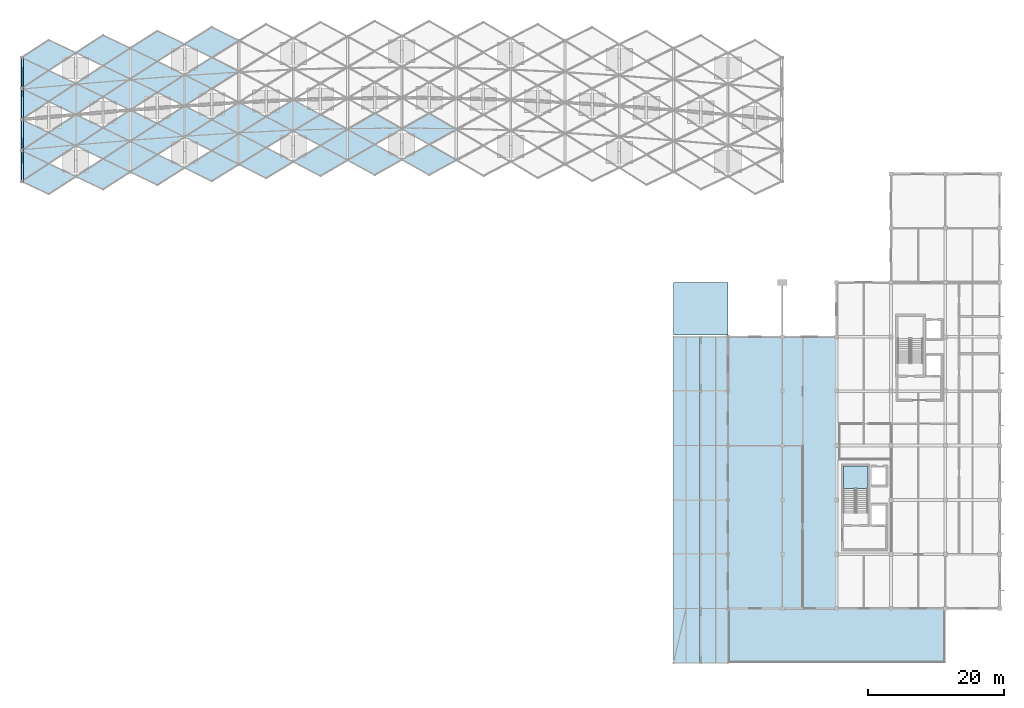
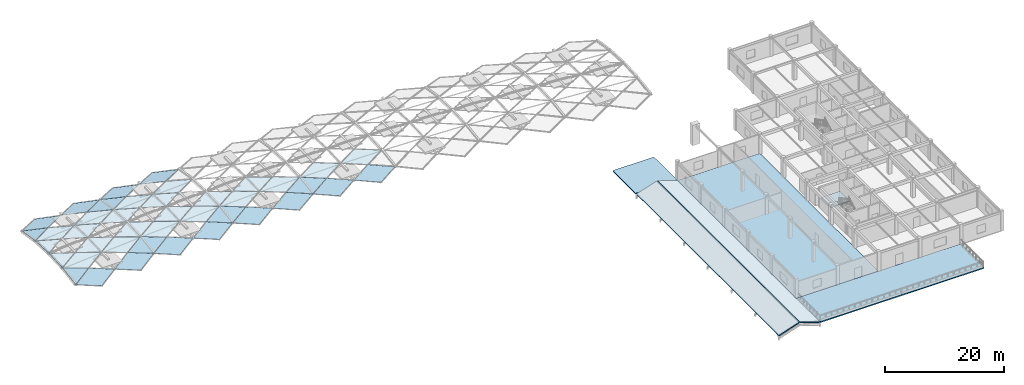
# One storey, part 11 of 27: 44 plates, 6 slabs, 1 element without a shape of its own.
"""IFC4 building model written with IfcOpenShell, lengths in metres."""

from ifc_helpers import new_model, si_unit, direction, frame, origin, place, context, subcontext, project, spatial, polyline, outline, extrude, material, layer, layer_set, type_object, element, aggregate, save


model = new_model("IFC4")

# Units and contexts
model_context = context("Model", 3, precision=1e-05, world=origin(), true_north=direction((0.0, 1.0)))
body_context = subcontext(model_context, "Body", "Model", "MODEL_VIEW")
ifc_project = project(units=[si_unit("LENGTHUNIT", "METRE"), si_unit("AREAUNIT", "SQUARE_METRE"), si_unit("VOLUMEUNIT", "CUBIC_METRE"), si_unit("PLANEANGLEUNIT", "RADIAN"), si_unit("MASSUNIT", "GRAM", prefix="KILO")], contexts=[model_context])

# Site, building, storey
site_placement = place(None, origin())
site = spatial("IfcSite", under=ifc_project, at=site_placement, CompositionType="ELEMENT")
building_placement = place(site_placement, origin())
building = spatial("IfcBuilding", under=site, at=building_placement, Name="Kenh Van Central Station", CompositionType="ELEMENT")
storey_placement = place(building_placement, frame((0.0, 0.0, 19.199951171875)))
storey = spatial("IfcBuildingStorey", under=building, at=storey_placement, Name="L04", CompositionType="ELEMENT", Elevation=19.199951171875)

# Plates
ifc_material_1 = material(Name="White fluoropolymer structural steel S355", Category="steel")
ifc_layer_1 = layer(ifc_material_1, 0.008056640625, Name="White fluoropolymer structural steel S355")
ifc_layer_set_1 = layer_set([ifc_layer_1], Name="White fluoropolymer structural steel S355")
plate_type_1 = type_object("IfcPlateType", Name="PLT-FASCIA-SH1", PredefinedType="SHEET", material=ifc_layer_set_1)
plate_1_placement = place(storey_placement, frame((32.0, 83.419677734375, 1.7744140625), z_axis=(0.0, -0.049191480968, 0.998789366283), x_axis=(1.0, 0.0, 0.0)))
element("IfcPlate", 1, at=plate_1_placement, inside=storey, type_object=plate_type_1, Name="Vault portal arch trim plate 06", PredefinedType="SHEET", context=body_context, shape_type="SweptSolid", body=[
    extrude(outline(polyline([(0.0, 0.0), (0.260009765625, 0.0), (0.260009765625, 4.585874079407097), (0.0, 4.585874079407097), (0.0, 0.0)])), origin(), (0.0, 0.0, -1.0), 0.008056640625),
])
ifc_layer_2 = layer(ifc_material_1, 0.010009765625, Name="White fluoropolymer structural steel S355")
ifc_layer_set_2 = layer_set([ifc_layer_2], Name="White fluoropolymer structural steel S355")
plate_type_2 = type_object("IfcPlateType", Name="PLT-FASCIA-SH2", PredefinedType="SHEET", material=ifc_layer_set_2)
plate_2_placement = place(storey_placement, frame((32.0, 88.0, 2.0), z_axis=(0.0, 0.049191480968, 0.998789366283), x_axis=(1.0, 0.0, 0.0)))
element("IfcPlate", 2, at=plate_2_placement, inside=storey, type_object=plate_type_2, Name="Vault portal arch trim plate 07", PredefinedType="SHEET", context=body_context, shape_type="SweptSolid", body=[
    extrude(outline(polyline([(0.0, 0.0), (0.260009765625, 0.0), (0.260009765625, 4.585874079407097), (0.0, 4.585874079407097), (0.0, 0.0)])), origin(), (0.0, 0.0, -1.0), 0.010009765625),
])
ifc_layer_3 = layer(ifc_material_1, 0.011962890625, Name="White fluoropolymer structural steel S355")
ifc_layer_set_3 = layer_set([ifc_layer_3], Name="White fluoropolymer structural steel S355")
plate_type_3 = type_object("IfcPlateType", Name="PLT-FASCIA-SH3", PredefinedType="SHEET", material=ifc_layer_set_3)
for number, where, z_axis, x_axis, name in (
    (3, (32.0, 78.886962890625, 1.081787109375), (0.0, -0.15105285867, 0.988525687015), (1.0, 0.0, 0.0), "Vault portal arch trim plate 05"),
    (4, (32.0, 92.580322265625, 1.7744140625), (0.0, 0.15105285867, 0.988525687015), (1.0, 0.0, 0.0), "Vault portal arch trim plate 08"),
):
    element("IfcPlate", number, at=place(storey_placement, frame(where, z_axis=z_axis, x_axis=x_axis)), inside=storey, type_object=plate_type_3, Name=name, PredefinedType="SHEET", context=body_context, shape_type="SweptSolid", body=[
        extrude(outline(polyline([(0.0, 0.0), (0.260009765625, 0.0), (0.260009765625, 4.585328336220517), (0.0, 4.585328336220517), (0.0, 0.0)])), origin(), (0.0, 0.0, -1.0), 0.011962890625),
    ])
ifc_material_2 = material(Name="Double-glazed low-E laminated solar glass", Category="glass")
ifc_layer_4 = layer(ifc_material_2, 0.02197265625, Name="Double-glazed low-E laminated solar glass")
ifc_layer_set_4 = layer_set([ifc_layer_4], Name="Double-glazed low-E laminated solar glass")
plate_type_4 = type_object("IfcPlateType", Name="PLT-VAULT-GLZ1", PredefinedType="SHEET", material=ifc_layer_set_4)
plate_3_placement = place(storey_placement, frame((32.005859375, 88.010498046875, 1.999755859375), z_axis=(-0.018589431757, 0.049194906475, 0.998616189636), x_axis=(0.833452615587, 0.552467027143, -0.011701345654)))
element("IfcPlate", 5, at=plate_3_placement, inside=storey, type_object=plate_type_4, Name="Vault border triangle skylight pane 266", PredefinedType="SHEET", context=body_context, shape_type="SweptSolid", body=[
    extrude(outline(polyline([(0.0, 0.0), (4.777929374627138, -3.9985376121265404e-16), (2.52204744681592, 3.8051816934802365), (0.0, 0.0)])), origin(), (0.0, 0.0, -1.0), 0.02197265625),
])
ifc_layer_5 = layer(ifc_material_2, 0.02490234375, Name="Double-glazed low-E laminated solar glass")
ifc_layer_set_5 = layer_set([ifc_layer_5], Name="Double-glazed low-E laminated solar glass")
plate_type_5 = type_object("IfcPlateType", Name="PLT-VAULT-GLZ2", PredefinedType="SHEET", material=ifc_layer_set_5)
plate_4_placement = place(storey_placement, frame((36.01171875, 86.06787109375, 1.91552734375), z_axis=(0.00429503509, -0.049184399382, 0.998780480151), x_axis=(0.90027101665, -0.434595651171, -0.025272842417)))
element("IfcPlate", 6, at=plate_4_placement, inside=storey, type_object=plate_type_5, Name="Vault planar diamond skylight pane 014", PredefinedType="SHEET", context=body_context, shape_type="SweptSolid", body=[
    extrude(outline(polyline([(0.0, 0.0), (4.430090055613483, -1.7954387976359953e-16), (6.878137937543344, 4.098540177341836), (2.444335713736727, 4.106780202491044), (0.0, 0.0)])), origin(), (0.0, 0.0, -1.0), 0.02490234375),
])
plate_5_placement = place(storey_placement, frame((40.01171875, 84.1357421875, 1.7451171875), z_axis=(0.008384211253, -0.099171680528, 0.995035015858), x_axis=(0.899360638325, -0.434239550665, -0.050857200771)))
element("IfcPlate", 7, at=plate_5_placement, inside=storey, type_object=plate_type_5, Name="Vault planar diamond skylight pane 023", PredefinedType="SHEET", context=body_context, shape_type="SweptSolid", body=[
    extrude(outline(polyline([(0.0, 0.0), (4.434845795280818, 1.3183898417423734e-16), (6.880552347443689, 4.0902887370983345), (2.4407979146661707, 4.102623608554052), (0.0, 0.0)])), origin(), (0.0, 0.0, -1.0), 0.02490234375),
])
plate_6_placement = place(storey_placement, frame((40.012451171875, 97.819580078125, 1.05029296875), z_axis=(-0.017392093927, 0.205720386889, 0.978456252209), x_axis=(0.898715265738, -0.425660646957, 0.105469828679)))
element("IfcPlate", 8, at=plate_6_placement, inside=storey, type_object=plate_type_5, Name="Vault planar diamond skylight pane 025", PredefinedType="SHEET", context=body_context, shape_type="SweptSolid", body=[
    extrude(outline(polyline([(0.0, 0.0), (4.43639753435768, -5.551115123125783e-16), (6.881189703311451, 4.089216407306759), (2.437427898185981, 4.099852357904983), (0.0, 0.0)])), origin(), (0.0, 0.0, -1.0), 0.02490234375),
])
plate_7_placement = place(storey_placement, frame((44.011474609375, 82.206787109375, 1.4580078125), z_axis=(0.012181922805, -0.150980052371, 0.988461746626), x_axis=(0.897984048509, -0.433196832433, -0.077234402917)))
element("IfcPlate", 9, at=plate_7_placement, inside=storey, type_object=plate_type_5, Name="Vault planar diamond skylight pane 032", PredefinedType="SHEET", context=body_context, shape_type="SweptSolid", body=[
    extrude(outline(polyline([(0.0, 0.0), (4.442190032305129, 1.6653345369377348e-16), (6.883601566036681, 4.080190198859484), (2.435698199093842, 4.096304085032396), (0.0, 0.0)])), origin(), (0.0, 0.0, -1.0), 0.02490234375),
])
plate_8_placement = place(storey_placement, frame((44.01220703125, 95.9091796875, 1.459228515625), z_axis=(-0.012194611715, 0.15108462622, 0.988445611637), x_axis=(0.897941003986, -0.433273597446, 0.077304224439)))
element("IfcPlate", 10, at=plate_8_placement, inside=storey, type_object=plate_type_5, Name="Vault planar diamond skylight pane 035", PredefinedType="SHEET", context=body_context, shape_type="SweptSolid", body=[
    extrude(outline(polyline([(0.0, 0.0), (4.4407688913923025, -3.400058012914542e-16), (6.88332228143871, 4.0811770203027455), (2.433845088457057, 4.0961745934760705), (0.0, 0.0)])), origin(), (0.0, 0.0, -1.0), 0.02490234375),
])
plate_9_placement = place(storey_placement, frame((48.011474609375, 80.283203125, 1.048583984375), z_axis=(0.01559256863, -0.205572726847, 0.97851761649), x_axis=(0.896182061798, -0.431119064128, -0.104852585362)))
element("IfcPlate", 11, at=plate_9_placement, inside=storey, type_object=plate_type_5, Name="Vault planar diamond skylight pane 042", PredefinedType="SHEET", context=body_context, shape_type="SweptSolid", body=[
    extrude(outline(polyline([(0.0, 0.0), (4.451121263421341, 1.3877787807814457e-16), (6.887196024908599, 4.068205037244386), (2.4284433752793335, 4.0880397427974655), (0.0, 0.0)])), origin(), (0.0, 0.0, -1.0), 0.02490234375),
])
plate_10_placement = place(storey_placement, frame((48.01220703125, 93.966796875, 1.74609375), z_axis=(-0.007530202815, 0.099278339774, 0.995031209208), x_axis=(0.896601753106, -0.439928357119, 0.050678762126)))
element("IfcPlate", 12, at=plate_10_placement, inside=storey, type_object=plate_type_5, Name="Vault planar diamond skylight pane 044", PredefinedType="SHEET", context=body_context, shape_type="SweptSolid", body=[
    extrude(outline(polyline([(0.0, 0.0), (4.447402047086666, 4.163336342344337e-17), (6.8852140637272985, 4.071558498564059), (2.4275882972598333, 4.090054017700128), (0.0, 0.0)])), origin(), (0.0, 0.0, -1.0), 0.02490234375),
])
plate_11_placement = place(storey_placement, frame((52.011962890625, 91.994873046875, 1.916015625), z_axis=(-0.003448314385, 0.049237950591, 0.998781123845), x_axis=(0.894835939198, -0.445691127568, 0.025061139785)))
element("IfcPlate", 13, at=plate_11_placement, inside=storey, type_object=plate_type_5, Name="Vault planar diamond skylight pane 053", PredefinedType="SHEET", context=body_context, shape_type="SweptSolid", body=[
    extrude(outline(polyline([(0.0, 0.0), (4.456723882219124, 1.8127860323957634e-16), (6.88831758635762, 4.059663502068099), (2.4204582398195016, 4.081984294969711), (0.0, 0.0)])), origin(), (0.0, 0.0, -1.0), 0.02490234375),
])
plate_12_placement = place(storey_placement, frame((60.011962890625, 87.971923828125, 1.915283203125), z_axis=(0.002744554058, -0.049131277296, 0.998788558712), x_axis=(0.890049388086, -0.455187016847, -0.024836796527)))
element("IfcPlate", 14, at=plate_12_placement, inside=storey, type_object=plate_type_5, Name="Vault planar diamond skylight pane 071", PredefinedType="SHEET", context=body_context, shape_type="SweptSolid", body=[
    extrude(outline(polyline([(0.0, 0.0), (4.480692058676863, 1.1796119636642288e-16), (6.896288379646225, 4.032057445990807), (2.401224215023959, 4.060119201616605), (0.0, 0.0)])), origin(), (0.0, 0.0, -1.0), 0.02490234375),
])
plate_13_placement = place(storey_placement, frame((64.011962890625, 85.92529296875, 1.74462890625), z_axis=(0.004724096177, -0.099121064876, 0.995064167485), x_axis=(0.88712531332, -0.45882138218, -0.049916106834)))
element("IfcPlate", 15, at=plate_13_placement, inside=storey, type_object=plate_type_5, Name="Vault planar diamond skylight pane 081", PredefinedType="SHEET", context=body_context, shape_type="SweptSolid", body=[
    extrude(outline(polyline([(0.0, 0.0), (4.49573581020838, 1.1102230246251565e-16), (6.901150383007422, 4.0165265250875715), (2.3905473904469074, 4.046691031663047), (0.0, 0.0)])), origin(), (0.0, 0.0, -1.0), 0.02490234375),
])
plate_14_placement = place(storey_placement, frame((72.01171875, 81.777587890625, 1.047607421875), z_axis=(0.00608386118, -0.205542652284, 0.978629247839), x_axis=(0.880565883347, -0.4626734141, -0.102650070485)))
element("IfcPlate", 16, at=plate_14_placement, inside=storey, type_object=plate_type_5, Name="Vault planar diamond skylight pane 097", PredefinedType="SHEET", context=body_context, shape_type="SweptSolid", body=[
    extrude(outline(polyline([(0.0, 0.0), (4.529501747332971, -2.7755575615628914e-17), (6.914229057007682, 3.9833317885806934), (2.368067591899084, 4.016346517211564), (0.0, 0.0)])), origin(), (0.0, 0.0, -1.0), 0.02490234375),
])
plate_15_placement = place(storey_placement, frame((88.011962890625, 86.622802734375, 1.744384765625), z_axis=(-0.000994633401, -0.099069125687, 0.995080056599), x_axis=(0.866192880438, -0.497336125146, -0.048648458381)))
element("IfcPlate", 17, at=plate_15_placement, inside=storey, type_object=plate_type_5, Name="Vault planar diamond skylight pane 134", PredefinedType="SHEET", context=body_context, shape_type="SweptSolid", body=[
    extrude(outline(polyline([(0.0, 0.0), (4.6040983535250355, -1.7694179454963432e-16), (6.948644446526272, 3.9166966700105257), (2.3246741506022923, 3.9511430214015735), (0.0, 0.0)])), origin(), (0.0, 0.0, -1.0), 0.02490234375),
])
ifc_layer_6 = layer(ifc_material_2, 0.027099609375, Name="Double-glazed low-E laminated solar glass")
ifc_layer_set_6 = layer_set([ifc_layer_6], Name="Double-glazed low-E laminated solar glass")
plate_type_6 = type_object("IfcPlateType", Name="PLT-VAULT-GLZ3", PredefinedType="SHEET", material=ifc_layer_set_6)
plate_16_placement = place(storey_placement, frame((32.005859375, 78.8974609375, 1.08349609375), z_axis=(-0.001834263691, -0.151043824484, 0.988525365664), x_axis=(0.833923739682, 0.545314855463, 0.084869928752)))
element("IfcPlate", 18, at=plate_16_placement, inside=storey, type_object=plate_type_6, Name="Vault border triangle skylight pane 262", PredefinedType="SHEET", context=body_context, shape_type="SweptSolid", body=[
    extrude(outline(polyline([(0.0, 0.0), (4.775230089855393, 1.5959455978986625e-16), (2.5194945519858267, 3.8062455708173277), (0.0, 0.0)])), origin(), (0.0, 0.0, -1.0), 0.027099609375),
])
plate_17_placement = place(storey_placement, frame((32.005859375, 92.590576171875, 1.773193359375), z_axis=(-0.028853762252, 0.150976452939, 0.988116172857), x_axis=(0.833674663529, 0.549036431588, -0.059544539453)))
element("IfcPlate", 19, at=plate_17_placement, inside=storey, type_object=plate_type_6, Name="Vault border triangle skylight pane 268", PredefinedType="SHEET", context=body_context, shape_type="SweptSolid", body=[
    extrude(outline(polyline([(0.0, 0.0), (4.776656780616467, 1.8735013540549517e-16), (2.5189603256301556, 3.8068885334940035), (0.0, 0.0)])), origin(), (0.0, 0.0, -1.0), 0.027099609375),
])
ifc_layer_7 = layer(ifc_material_2, 0.029052734375, Name="Double-glazed low-E laminated solar glass")
ifc_layer_set_7 = layer_set([ifc_layer_7], Name="Double-glazed low-E laminated solar glass")
plate_type_7 = type_object("IfcPlateType", Name="PLT-VAULT-GLZ4", PredefinedType="SHEET", material=ifc_layer_set_7)
plate_18_placement = place(storey_placement, frame((32.01123046875, 78.894775390625, 1.04931640625), z_axis=(0.018301462713, -0.205614542057, 0.978461913698), x_axis=(0.899992203603, -0.422896260751, -0.105701400638)))
element("IfcPlate", 20, at=plate_18_placement, inside=storey, type_object=plate_type_7, Name="Vault planar diamond skylight pane 004", PredefinedType="SHEET", context=body_context, shape_type="SweptSolid", body=[
    extrude(outline(polyline([(0.0, 0.0), (4.432546651548275, -2.220446049250313e-16), (6.878384511142321, 4.100429931087224), (2.44575048051094, 4.105653869374203), (0.0, 0.0)])), origin(), (0.0, 0.0, -1.0), 0.029052734375),
])
plate_19_placement = place(storey_placement, frame((32.01220703125, 92.578369140625, 1.74560546875), z_axis=(-0.00883208562, 0.099224290654, 0.99502589635), x_axis=(0.900494420948, -0.431859767639, 0.05105819167)))
element("IfcPlate", 21, at=plate_19_placement, inside=storey, type_object=plate_type_7, Name="Vault planar diamond skylight pane 006", PredefinedType="SHEET", context=body_context, shape_type="SweptSolid", body=[
    extrude(outline(polyline([(0.0, 0.0), (4.428176958677664, -1.8735013540549517e-16), (6.875806769547477, 4.104276518904323), (2.4448276697846962, 4.107833245923546), (0.0, 0.0)])), origin(), (0.0, 0.0, -1.0), 0.029052734375),
])
plate_20_placement = place(storey_placement, frame((36.011962890625, 90.65087890625, 1.915771484375), z_axis=(-0.004299697276, 0.04923778819, 0.998777829558), x_axis=(0.900260454727, -0.434615874263, 0.02530129428)))
element("IfcPlate", 22, at=plate_20_placement, inside=storey, type_object=plate_type_7, Name="Vault planar diamond skylight pane 015", PredefinedType="SHEET", context=body_context, shape_type="SweptSolid", body=[
    extrude(outline(polyline([(0.0, 0.0), (4.429870265255875, -2.0383000842727483e-16), (6.878039606231949, 4.098705191674917), (2.444011223204826, 4.10674292060029), (0.0, 0.0)])), origin(), (0.0, 0.0, -1.0), 0.029052734375),
])
plate_21_placement = place(storey_placement, frame((44.011962890625, 86.766357421875, 1.915283203125), z_axis=(0.003965676383, -0.049131076003, 0.99878446663), x_axis=(0.898295757132, -0.43867122811, -0.025145304674)))
element("IfcPlate", 23, at=plate_21_placement, inside=storey, type_object=plate_type_7, Name="Vault planar diamond skylight pane 033", PredefinedType="SHEET", context=body_context, shape_type="SweptSolid", body=[
    extrude(outline(polyline([(0.0, 0.0), (4.439558833891692, -2.2724877535296173e-16), (6.882457606682608, 4.082158028092525), (2.4352702966154953, 4.097753275084477), (0.0, 0.0)])), origin(), (0.0, 0.0, -1.0), 0.029052734375),
])
plate_22_placement = place(storey_placement, frame((48.01171875, 84.81201171875, 1.744873046875), z_axis=(0.007521763782, -0.099167079399, 0.995042367657), x_axis=(0.89664729903, -0.439843063795, -0.05061324306)))
element("IfcPlate", 24, at=plate_22_placement, inside=storey, type_object=plate_type_7, Name="Vault planar diamond skylight pane 043", PredefinedType="SHEET", context=body_context, shape_type="SweptSolid", body=[
    extrude(outline(polyline([(0.0, 0.0), (4.448265294827361, -1.1796119636642288e-16), (6.885628942196146, 4.070856836216201), (2.428785698994374, 4.090435916180456), (0.0, 0.0)])), origin(), (0.0, 0.0, -1.0), 0.029052734375),
])
plate_23_placement = place(storey_placement, frame((48.012451171875, 98.495849609375, 1.05078125), z_axis=(-0.015604228944, 0.205726456664, 0.978485121536), x_axis=(0.896068782387, -0.431324478369, 0.104975861949)))
element("IfcPlate", 25, at=plate_23_placement, inside=storey, type_object=plate_type_7, Name="Vault planar diamond skylight pane 045", PredefinedType="SHEET", context=body_context, shape_type="SweptSolid", body=[
    extrude(outline(polyline([(0.0, 0.0), (4.4495019124810655, 1.1102230246251565e-16), (6.886168228314866, 4.069944525656866), (2.425714644086053, 4.087658749851524), (0.0, 0.0)])), origin(), (0.0, 0.0, -1.0), 0.029052734375),
])
plate_24_placement = place(storey_placement, frame((56.011474609375, 80.89013671875, 1.048095703125), z_axis=(0.013022701859, -0.205631546517, 0.978542833152), x_axis=(0.892106382585, -0.439632439043, -0.104256993491)))
element("IfcPlate", 26, at=plate_24_placement, inside=storey, type_object=plate_type_7, Name="Vault planar diamond skylight pane 060", PredefinedType="SHEET", context=body_context, shape_type="SweptSolid", body=[
    extrude(outline(polyline([(0.0, 0.0), (4.471453414259955, -2.636779683484747e-16), (6.8934365240928175, 4.0439394246310005), (2.4113080890619156, 4.069343185259834), (0.0, 0.0)])), origin(), (0.0, 0.0, -1.0), 0.029052734375),
])
plate_25_placement = place(storey_placement, frame((56.01220703125, 94.5732421875, 1.74609375), z_axis=(-0.00629041702, 0.099279190366, 0.995039734389), x_axis=(0.892470306357, -0.448285277973, 0.050369254738)))
element("IfcPlate", 27, at=plate_25_placement, inside=storey, type_object=plate_type_7, Name="Vault planar diamond skylight pane 062", PredefinedType="SHEET", context=body_context, shape_type="SweptSolid", body=[
    extrude(outline(polyline([(0.0, 0.0), (4.467990817162011, 1.9081958235744878e-16), (6.891858980296067, 4.046657840875474), (2.410384651240383, 4.07117259737975), (0.0, 0.0)])), origin(), (0.0, 0.0, -1.0), 0.029052734375),
])
plate_26_placement = place(storey_placement, frame((68.011962890625, 88.41845703125, 1.9150390625), z_axis=(0.001907837068, -0.049077981892, 0.998793127655), x_axis=(0.884100881605, -0.466647146166, -0.024618532048)))
element("IfcPlate", 28, at=plate_26_placement, inside=storey, type_object=plate_type_7, Name="Vault planar diamond skylight pane 089", PredefinedType="SHEET", context=body_context, shape_type="SweptSolid", body=[
    extrude(outline(polyline([(0.0, 0.0), (4.510838966995236, 1.734723475976807e-16), (6.90696629062912, 4.000964000672798), (2.379211956343617, 4.032965578462033), (0.0, 0.0)])), origin(), (0.0, 0.0, -1.0), 0.029052734375),
])
plate_27_placement = place(storey_placement, frame((72.011962890625, 86.30615234375, 1.74462890625), z_axis=(0.002933750298, -0.099116465617, 0.995071514693), x_axis=(0.880731344929, -0.471020893026, -0.04951380003)))
element("IfcPlate", 29, at=plate_27_placement, inside=storey, type_object=plate_type_7, Name="Vault planar diamond skylight pane 098", PredefinedType="SHEET", context=body_context, shape_type="SweptSolid", body=[
    extrude(outline(polyline([(0.0, 0.0), (4.528097710720187, 2.42861286636753e-17), (6.913578084780405, 3.984461526521608), (2.3676018558164675, 4.017710871640686), (0.0, 0.0)])), origin(), (0.0, 0.0, -1.0), 0.029052734375),
])
plate_28_placement = place(storey_placement, frame((76.011962890625, 84.169677734375, 1.45703125), z_axis=(0.003007610102, -0.150930283299, 0.988539834233), x_axis=(0.877195471026, -0.474227800127, -0.075073958187)))
element("IfcPlate", 30, at=plate_28_placement, inside=storey, type_object=plate_type_7, Name="Vault planar diamond skylight pane 106", PredefinedType="SHEET", context=body_context, shape_type="SweptSolid", body=[
    extrude(outline(polyline([(0.0, 0.0), (4.54634939347647, -2.636779683484747e-16), (6.920990367448579, 3.9672431582735), (2.3562380579209803, 4.001374073720204), (0.0, 0.0)])), origin(), (0.0, 0.0, -1.0), 0.029052734375),
])
plate_29_placement = place(storey_placement, frame((80.011962890625, 82.01416015625, 1.047607421875), z_axis=(0.002057860809, -0.205597286335, 0.978634518633), x_axis=(0.873579833924, -0.475910857721, -0.101819100687)))
element("IfcPlate", 31, at=plate_29_placement, inside=storey, type_object=plate_type_7, Name="Vault planar diamond skylight pane 116", PredefinedType="SHEET", context=body_context, shape_type="SweptSolid", body=[
    extrude(outline(polyline([(0.0, 0.0), (4.565166229910778, 0.0), (6.929743731402203, 3.9500361042858203), (2.345399292057206, 3.984461007398913), (0.0, 0.0)])), origin(), (0.0, 0.0, -1.0), 0.029052734375),
])
ifc_layer_8 = layer(ifc_material_2, 0.031005859375, Name="Double-glazed low-E laminated solar glass")
ifc_layer_set_8 = layer_set([ifc_layer_8], Name="Double-glazed low-E laminated solar glass")
plate_type_8 = type_object("IfcPlateType", Name="PLT-VAULT-GLZ5", PredefinedType="SHEET", material=ifc_layer_set_8)
plate_30_placement = place(storey_placement, frame((32.005859375, 83.43017578125, 1.775146484375), z_axis=(-0.00980080239, -0.049144664378, 0.998743583827), x_axis=(0.833507245762, 0.551379019176, 0.035310741636)))
element("IfcPlate", 32, at=plate_30_placement, inside=storey, type_object=plate_type_8, Name="Vault border triangle skylight pane 264", PredefinedType="SHEET", context=body_context, shape_type="SweptSolid", body=[
    extrude(outline(polyline([(0.0, 0.0), (4.777616217041565, -1.3010426069826053e-16), (2.522380895551525, 3.804946261013783), (0.0, 0.0)])), origin(), (0.0, 0.0, -1.0), 0.031005859375),
])
ifc_layer_9 = layer(ifc_material_2, 0.034912109375, Name="Double-glazed low-E laminated solar glass")
ifc_layer_set_9 = layer_set([ifc_layer_9], Name="Double-glazed low-E laminated solar glass")
plate_type_9 = type_object("IfcPlateType", Name="PLT-VAULT-GLZ6", PredefinedType="SHEET", material=ifc_layer_set_9)
plate_31_placement = place(storey_placement, frame((32.01171875, 83.423828125, 1.745361328125), z_axis=(0.00883208562, -0.099224290654, 0.99502589635), x_axis=(0.900536096424, -0.431773826676, -0.051049991532)))
element("IfcPlate", 33, at=plate_31_placement, inside=storey, type_object=plate_type_9, Name="Vault planar diamond skylight pane 005", PredefinedType="SHEET", context=body_context, shape_type="SweptSolid", body=[
    extrude(outline(polyline([(0.0, 0.0), (4.429056368111995, -7.632783294297951e-17), (6.876200190965642, 4.103617356619447), (2.446100882307374, 4.108023359157586), (0.0, 0.0)])), origin(), (0.0, 0.0, -1.0), 0.034912109375),
])
plate_32_placement = place(storey_placement, frame((32.012451171875, 97.107421875, 1.0498046875), z_axis=(-0.018306583321, 0.205665776168, 0.97845105014), x_axis=(0.899872166967, -0.423132759304, 0.105776893134)))
element("IfcPlate", 34, at=plate_32_placement, inside=storey, type_object=plate_type_9, Name="Vault planar diamond skylight pane 007", PredefinedType="SHEET", context=body_context, shape_type="SweptSolid", body=[
    extrude(outline(polyline([(0.0, 0.0), (4.430698352602097, 2.220446049250313e-16), (6.877039460635985, 4.102210712852257), (2.4427499056600324, 4.105151855212145), (0.0, 0.0)])), origin(), (0.0, 0.0, -1.0), 0.034912109375),
])
plate_33_placement = place(storey_placement, frame((40.011474609375, 79.60693359375, 1.048828125), z_axis=(0.017383430379, -0.205617911112, 0.978477946087), x_axis=(0.898826188684, -0.425450427634, -0.105372748664)))
element("IfcPlate", 35, at=plate_33_placement, inside=storey, type_object=plate_type_9, Name="Vault planar diamond skylight pane 022", PredefinedType="SHEET", context=body_context, shape_type="SweptSolid", body=[
    extrude(outline(polyline([(0.0, 0.0), (4.4380233198067325, -4.163336342344337e-17), (6.882216187303824, 4.087488582242103), (2.4401345823068827, 4.100267468461935), (0.0, 0.0)])), origin(), (0.0, 0.0, -1.0), 0.034912109375),
])
plate_34_placement = place(storey_placement, frame((40.01220703125, 93.29052734375, 1.745849609375), z_axis=(-0.008388244366, 0.099219385747, 0.995030226098), x_axis=(0.899296790242, -0.434367438019, 0.050894123911)))
element("IfcPlate", 36, at=plate_34_placement, inside=storey, type_object=plate_type_9, Name="Vault planar diamond skylight pane 024", PredefinedType="SHEET", context=body_context, shape_type="SweptSolid", body=[
    extrude(outline(polyline([(0.0, 0.0), (4.434073575208372, 3.0184188481996443e-16), (6.879956853857233, 4.0912902913151035), (2.4393100300845374, 4.1025727508269725), (0.0, 0.0)])), origin(), (0.0, 0.0, -1.0), 0.034912109375),
])
plate_35_placement = place(storey_placement, frame((44.011962890625, 91.349365234375, 1.915771484375), z_axis=(-0.003974295141, 0.049237854474, 0.998779174125), x_axis=(0.898294515015, -0.438670629996, 0.025200053045)))
element("IfcPlate", 37, at=plate_35_placement, inside=storey, type_object=plate_type_9, Name="Vault planar diamond skylight pane 034", PredefinedType="SHEET", context=body_context, shape_type="SweptSolid", body=[
    extrude(outline(polyline([(0.0, 0.0), (4.439564976205405, -2.393918396847994e-16), (6.882448084530333, 4.082174082256697), (2.4352545890520094, 4.0977693227834955), (0.0, 0.0)])), origin(), (0.0, 0.0, -1.0), 0.034912109375),
])
plate_36_placement = place(storey_placement, frame((52.011962890625, 87.411865234375, 1.915283203125), z_axis=(0.003436913422, -0.049075157995, 0.998789175199), x_axis=(0.894837262102, -0.445693128423, -0.024978183095)))
element("IfcPlate", 38, at=plate_36_placement, inside=storey, type_object=plate_type_9, Name="Vault planar diamond skylight pane 052", PredefinedType="SHEET", context=body_context, shape_type="SweptSolid", body=[
    extrude(outline(polyline([(0.0, 0.0), (4.456717778509097, 2.905661822261152e-16), (6.888327020271815, 4.059647494837539), (2.420371135526624, 4.082176155260746), (0.0, 0.0)])), origin(), (0.0, 0.0, -1.0), 0.034912109375),
])
plate_37_placement = place(storey_placement, frame((56.01171875, 85.418701171875, 1.744873046875), z_axis=(0.006277310408, -0.099120217986, 0.995055665659), x_axis=(0.892517402402, -0.448201855802, -0.050277061027)))
element("IfcPlate", 39, at=plate_37_placement, inside=storey, type_object=plate_type_9, Name="Vault planar diamond skylight pane 061", PredefinedType="SHEET", context=body_context, shape_type="SweptSolid", body=[
    extrude(outline(polyline([(0.0, 0.0), (4.468850097960049, 1.214306433183765e-16), (6.892386205275377, 4.0457293012646645), (2.411701167271888, 4.071322250253411), (0.0, 0.0)])), origin(), (0.0, 0.0, -1.0), 0.034912109375),
])
plate_38_placement = place(storey_placement, frame((56.012451171875, 99.1025390625, 1.051025390625), z_axis=(-0.013033120909, 0.205796065779, 0.97850810782), x_axis=(0.892028923258, -0.439762669746, 0.104370466944)))
element("IfcPlate", 40, at=plate_38_placement, inside=storey, type_object=plate_type_9, Name="Vault planar diamond skylight pane 063", PredefinedType="SHEET", context=body_context, shape_type="SweptSolid", body=[
    extrude(outline(polyline([(0.0, 0.0), (4.46965467826457, -5.551115123125783e-17), (6.892752919707106, 4.045104494280825), (2.408852536250264, 4.068911691189941), (0.0, 0.0)])), origin(), (0.0, 0.0, -1.0), 0.034912109375),
])
plate_39_placement = place(storey_placement, frame((60.01171875, 83.412353515625, 1.457275390625), z_axis=(0.008426779094, -0.150933592659, 0.988507986817), x_axis=(0.889842321278, -0.449847969204, -0.076272195893)))
element("IfcPlate", 41, at=plate_39_placement, inside=storey, type_object=plate_type_9, Name="Vault planar diamond skylight pane 070", PredefinedType="SHEET", context=body_context, shape_type="SweptSolid", body=[
    extrude(outline(polyline([(0.0, 0.0), (4.482282581693869, -2.914335439641036e-16), (6.897125473709489, 4.030598388027802), (2.401391532952721, 4.0589743590301826), (0.0, 0.0)])), origin(), (0.0, 0.0, -1.0), 0.034912109375),
])
plate_40_placement = place(storey_placement, frame((64.01171875, 81.396728515625, 1.0478515625), z_axis=(0.009791696311, -0.205587865352, 0.978589675146), x_axis=(0.886819128577, -0.450379058355, -0.103491724232)))
element("IfcPlate", 42, at=plate_40_placement, inside=storey, type_object=plate_type_9, Name="Vault planar diamond skylight pane 080", PredefinedType="SHEET", context=body_context, shape_type="SweptSolid", body=[
    extrude(outline(polyline([(0.0, 0.0), (4.497562103790614, 3.191891195797325e-16), (6.902243924762415, 4.015108927205046), (2.390191001086645, 4.045031744419126), (0.0, 0.0)])), origin(), (0.0, 0.0, -1.0), 0.034912109375),
])
plate_41_placement = place(storey_placement, frame((80.011962890625, 86.542724609375, 1.744384765625), z_axis=(0.000994633401, -0.099069125687, 0.995080056599), x_axis=(0.873649674262, -0.484075046422, -0.049067260909)))
element("IfcPlate", 43, at=plate_41_placement, inside=storey, type_object=plate_type_9, Name="Vault planar diamond skylight pane 117", PredefinedType="SHEET", context=body_context, shape_type="SweptSolid", body=[
    extrude(outline(polyline([(0.0, 0.0), (4.5648011114482205, -2.0816681711721685e-17), (6.929530821024964, 3.950414541485111), (2.3453805150074505, 3.9851572225615928), (0.0, 0.0)])), origin(), (0.0, 0.0, -1.0), 0.034912109375),
])
plate_42_placement = place(storey_placement, frame((88.011962890625, 82.093994140625, 1.047607421875), z_axis=(-0.002057860809, -0.205597286335, 0.978634518633), x_axis=(0.866268650324, -0.48926914799, -0.100966956435)))
element("IfcPlate", 44, at=plate_42_placement, inside=storey, type_object=plate_type_9, Name="Vault planar diamond skylight pane 133", PredefinedType="SHEET", context=body_context, shape_type="SweptSolid", body=[
    extrude(outline(polyline([(0.0, 0.0), (4.603695470567197, -1.1102230246251565e-16), (6.948483353872931, 3.916977468536218), (2.3251012536805455, 3.9511141685151148), (0.0, 0.0)])), origin(), (0.0, 0.0, -1.0), 0.034912109375),
])

# Slab
ifc_material_3 = material(Name="Concrete C35/45", Category="concrete")
ifc_layer_10 = layer(ifc_material_3, 0.239990234375, Name="Concrete C35/45")
ifc_layer_set_10 = layer_set([ifc_layer_10], Name="Concrete C35/45")
slab_type_1 = type_object("IfcSlabType", Name="SLB-FLR-240", PredefinedType="FLOOR", material=ifc_layer_set_10)
slab_1_placement = place(storey_placement, frame((0.0, 0.0, -0.239990234375)))
element("IfcSlab", 45, at=slab_1_placement, inside=storey, type_object=slab_type_1, Name="L04 slab SLB-L04-EA", PredefinedType="FLOOR", context=body_context, shape_type="SweptSolid", body=[
    extrude(outline(polyline([(136.0, 16.0), (152.0, 16.0), (152.0, 56.0), (136.0, 56.0), (136.0, 16.0)])), origin(), (0.0, 0.0, 1.0), 0.239990234375),
])

# Stair, slab
stair_type = type_object("IfcStairType", Name="STR-DLG-1700", PredefinedType="HALF_TURN_STAIR", material=ifc_material_3)
stair_placement = place(storey_placement, origin())
stair = element("IfcStair", 46, at=stair_placement, inside=storey, type_object=stair_type, Name="L04 Operations South Firefighting Core", PredefinedType="HALF_TURN_STAIR")
ifc_layer_11 = layer(ifc_material_3, 0.199951171875, Name="Concrete C35/45")
ifc_layer_set_11 = layer_set([ifc_layer_11], Name="Concrete C35/45")
slab_type_2 = type_object("IfcSlabType", Name="SLB-LAND-200", PredefinedType="LANDING", material=ifc_layer_set_11)
slab_2_placement = place(storey_placement, frame((0.0, 0.0, 1.900146484375)))
slab_2 = element("IfcSlab", 47, at=slab_2_placement, type_object=slab_type_2, Name="ST-09 landing 1", PredefinedType="LANDING", context=body_context, shape_type="SweptSolid", body=[
    extrude(outline(polyline([(156.60009765625, 33.699951171875), (156.60009765625, 37.0), (153.0, 37.0), (153.0, 33.699951171875), (156.60009765625, 33.699951171875)])), origin(), (0.0, 0.0, 1.0), 0.199951171875),
])
aggregate(stair, [slab_2])

# Slabs
ifc_layer_12 = layer(ifc_material_3, 0.205078125, Name="Concrete C35/45")
ifc_layer_set_12 = layer_set([ifc_layer_12], Name="Concrete C35/45")
slab_type_3 = type_object("IfcSlabType", Name="SLB-ROOF-205", PredefinedType="ROOF", material=ifc_layer_set_12)
slab_3_placement = place(storey_placement, frame((0.0, 0.0, -0.204833984375)))
element("IfcSlab", 48, at=slab_3_placement, inside=storey, type_object=slab_type_3, Name="L04 slab SLB-L04-OPS3N", PredefinedType="ROOF", context=body_context, shape_type="SweptSolid", body=[
    extrude(outline(polyline([(136.0, 56.25), (136.0, 64.0), (128.0, 64.0), (128.0, 56.25), (136.0, 56.25)])), origin(), (0.0, 0.0, 1.0), 0.204833984375),
])
for number, where, z_axis, x_axis, name in (
    (49, (128.0, 8.0, 0.0), (-0.316245582614, 0.0, 0.948677358999), (0.948677358999, 0.0, 0.316245582614), "L04 sloped roof RF-OPS3-A"),
    (50, (132.10009765625, 8.0, 1.300048828125), (0.316245582614, 0.0, 0.948677358999), (0.948677358999, 0.0, -0.316245582614), "L04 sloped roof RF-OPS3-B"),
):
    element("IfcSlab", number, at=place(storey_placement, frame(where, z_axis=z_axis, x_axis=x_axis)), inside=storey, type_object=slab_type_3, Name=name, PredefinedType="ROOF", context=body_context, shape_type="SweptSolid", body=[
        extrude(outline(polyline([(0.0, 0.0), (4.110883754899416, 0.0), (4.110883754899416, 48.0), (0.0, 48.0), (0.0, 0.0)])), origin(), (0.0, 0.0, -1.0), 0.205078125),
    ])
ifc_layer_13 = layer(ifc_material_3, 0.215087890625, Name="Concrete C35/45")
ifc_layer_set_13 = layer_set([ifc_layer_13], Name="Concrete C35/45")
slab_type_4 = type_object("IfcSlabType", Name="SLB-TERR-215", PredefinedType="FLOOR", material=ifc_layer_set_13)
slab_4_placement = place(storey_placement, frame((0.0, 0.0, -0.21484375)))
element("IfcSlab", 51, at=slab_4_placement, inside=storey, type_object=slab_type_4, Name="L04 slab SLB-L04-TERR", PredefinedType="FLOOR", context=body_context, shape_type="SweptSolid", body=[
    extrude(outline(polyline([(168.0, 8.0), (168.0, 16.0), (136.0, 16.0), (136.0, 8.0), (168.0, 8.0)])), origin(), (0.0, 0.0, 1.0), 0.21484375),
])

save(model, "model.ifc")
